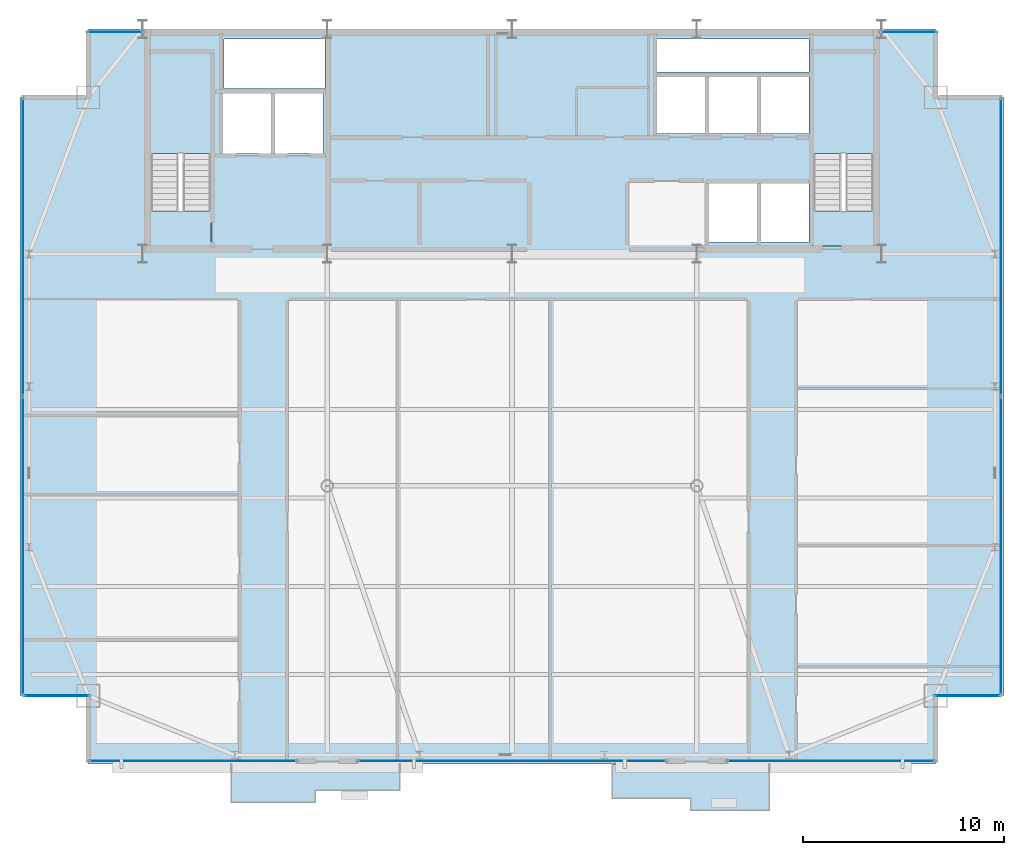
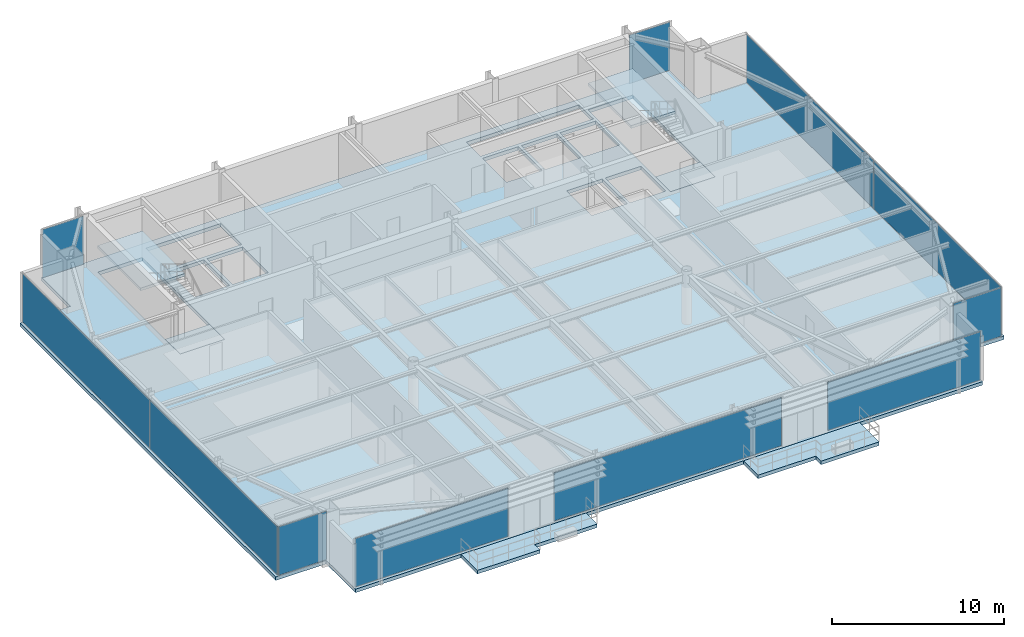
# One storey, part 23 of 30: 11 plates, 7 slabs, 11 elements without a shape of their own.
"""IFC4 building model written with IfcOpenShell, lengths in metres."""

import ifcopenshell
import ifcopenshell.guid

model = None  # the IFC model being written
_history = None  # IfcOwnerHistory: only IFC2X3 demands one
_inside = {}  # id of a spatial element -> (the spatial element, [elements in it])
_under = {}  # id of a project, library or spatial element -> (it, [spatial elements below it])
_declared = {}  # id of a project -> (the project, [libraries it declares])
_typed = {}  # id of a type object -> (the type object, [elements of that type])
_made_of = {}  # id of a material, layer set ... -> (it, [elements and type objects made of it])


def new_model(schema):
    """Start an empty IFC model of exactly this schema.

    Asked for "IFC4X3", IfcOpenShell would pick the latest addendum, in which some entities
    have other attributes; the version numbers below select the first issue.
    IFC2X3 requires an IfcOwnerHistory on every rooted entity: one is made here for all.
    """
    global model, _history
    if schema == "IFC4X3":
        model = ifcopenshell.file(schema_version=(4, 3, 0, 0))
    else:
        model = ifcopenshell.file(schema=schema)
    _inside.clear()
    _under.clear()
    _declared.clear()
    _typed.clear()
    _made_of.clear()
    _history = None
    if model.schema == "IFC2X3":
        org = make("IfcOrganization", Name="unknown")
        user = make(
            "IfcPersonAndOrganization",
            ThePerson=make("IfcPerson", FamilyName="unknown"),
            TheOrganization=org,
        )
        app = make(
            "IfcApplication",
            ApplicationDeveloper=org,
            Version="unknown",
            ApplicationFullName="unknown",
            ApplicationIdentifier="unknown",
        )
        _history = make(
            "IfcOwnerHistory",
            OwningUser=user,
            OwningApplication=app,
            ChangeAction="ADDED",
            CreationDate=0,
        )
    return model


def make(cls, **values):
    """One entity of the class cls with the attributes given. An attribute that is None is left unset."""
    return model.create_entity(
        cls, **{name: value for name, value in values.items() if value is not None}
    )


def rooted(cls, **values):
    """An entity with a GlobalId (a new one), such as an element, a storey or a relation."""
    return make(cls, GlobalId=ifcopenshell.guid.new(), OwnerHistory=_history, **values)


def si_unit(unit_type, name, prefix=None):
    """IfcSIUnit, for example si_unit("LENGTHUNIT", "METRE", prefix="MILLI")."""
    return make("IfcSIUnit", UnitType=unit_type, Prefix=prefix, Name=name)


def assignment(units):
    """IfcUnitAssignment: the units of a project."""
    return None if units is None else make("IfcUnitAssignment", Units=units)


def point(xyz):
    """IfcCartesianPoint."""
    return None if xyz is None else make("IfcCartesianPoint", Coordinates=xyz)


def direction(xyz):
    """IfcDirection."""
    return None if xyz is None else make("IfcDirection", DirectionRatios=xyz)


def frame(location, z_axis=None, x_axis=None):
    """IfcAxis2Placement3D, a coordinate frame: its origin and axes. An axis left out is left unset."""
    return make(
        "IfcAxis2Placement3D",
        Location=point(location),
        Axis=direction(z_axis),
        RefDirection=direction(x_axis),
    )


def frame_2d(location, x_axis=None):
    """IfcAxis2Placement2D, a coordinate frame in the plane: its origin and x axis."""
    return make(
        "IfcAxis2Placement2D", Location=point(location), RefDirection=direction(x_axis)
    )


def origin():
    """The frame at (0, 0, 0) with its axes left unset."""
    return frame((0.0, 0.0, 0.0))


def origin_2d():
    """The frame at (0, 0) in the plane with its x axis left unset."""
    return frame_2d((0.0, 0.0))


def place(relative_to, where):
    """IfcLocalPlacement: puts the frame where relative to a parent placement (None: the world)."""
    return make(
        "IfcLocalPlacement", PlacementRelTo=relative_to, RelativePlacement=where
    )


def context(
    kind, dimensions, precision=None, world=None, true_north=None, identifier=None
):
    """IfcGeometricRepresentationContext, for example the 3D "Model" context."""
    return make(
        "IfcGeometricRepresentationContext",
        ContextIdentifier=identifier,
        ContextType=kind,
        CoordinateSpaceDimension=dimensions,
        Precision=precision,
        WorldCoordinateSystem=world,
        TrueNorth=true_north,
    )


def subcontext(parent, identifier, kind, view, scale=None):
    """IfcGeometricRepresentationSubContext, for example "Body" below "Model"."""
    return make(
        "IfcGeometricRepresentationSubContext",
        ContextIdentifier=identifier,
        ContextType=kind,
        ParentContext=parent,
        TargetScale=scale,
        TargetView=view,
    )


def project(units=None, contexts=None):
    """IfcProject with its units and contexts."""
    return rooted(
        "IfcProject",
        Name="project",
        RepresentationContexts=contexts,
        UnitsInContext=assignment(units),
    )


def spatial(cls, under=None, at=None, **own):
    """A site, building, storey or space (cls), placed at a placement, below another one or the project."""
    s = rooted(cls, ObjectPlacement=at, **own)
    if under is not None:
        _under.setdefault(under.id(), (under, []))[1].append(s)
    return s


def polyline(points):
    """IfcPolyline through the points."""
    return make("IfcPolyline", Points=[point(p) for p in points])


def profile(cls, at=None, kind="AREA", **sizes):
    """A parametric profile (cls). Its sizes go by their IFC names, for example OverallWidth=200.0."""
    return make(cls, ProfileType=kind, Position=at, **sizes)


def rectangle(**sizes):
    """IfcRectangleProfileDef."""
    return profile("IfcRectangleProfileDef", **sizes)


def outline(outer, holes=None, kind="AREA"):
    """IfcArbitraryClosedProfileDef: a profile drawn as a closed curve; with holes, ...WithVoids."""
    if holes is None:
        return make("IfcArbitraryClosedProfileDef", ProfileType=kind, OuterCurve=outer)
    return make(
        "IfcArbitraryProfileDefWithVoids",
        ProfileType=kind,
        OuterCurve=outer,
        InnerCurves=holes,
    )


def extrude(swept, where, along, depth):
    """IfcExtrudedAreaSolid: the profile swept, set in the frame where, extruded along a direction by depth."""
    return make(
        "IfcExtrudedAreaSolid",
        SweptArea=swept,
        Position=where,
        ExtrudedDirection=direction(along),
        Depth=depth,
    )


def shape(context_of_items, identifier, shape_type, items):
    """IfcShapeRepresentation: the items that make up one representation, for example the "Body"."""
    return make(
        "IfcShapeRepresentation",
        ContextOfItems=context_of_items,
        RepresentationIdentifier=identifier,
        RepresentationType=shape_type,
        Items=items,
    )


def source(mapping_origin, context_of_items, identifier, shape_type, items):
    """IfcRepresentationMap: a shape defined once, which mapped items show again and again."""
    return make(
        "IfcRepresentationMap",
        MappingOrigin=mapping_origin,
        MappedRepresentation=shape(context_of_items, identifier, shape_type, items),
    )


def transform(
    local_origin,
    x_axis=None,
    y_axis=None,
    z_axis=None,
    scale=None,
    scale2=None,
    scale3=None,
    uniform=True,
):
    """IfcCartesianTransformationOperator3D, or its non-uniform kind. x_axis, y_axis, z_axis: its Axis1, 2, 3."""
    if uniform:
        return make(
            "IfcCartesianTransformationOperator3D",
            Axis1=direction(x_axis),
            Axis2=direction(y_axis),
            LocalOrigin=point(local_origin),
            Scale=scale,
            Axis3=direction(z_axis),
        )
    return make(
        "IfcCartesianTransformationOperator3DnonUniform",
        Axis1=direction(x_axis),
        Axis2=direction(y_axis),
        LocalOrigin=point(local_origin),
        Scale=scale,
        Axis3=direction(z_axis),
        Scale2=scale2,
        Scale3=scale3,
    )


def mapped(mapping_source, mapping_target):
    """IfcMappedItem: shows the shape of a source again, moved by a transform."""
    return make(
        "IfcMappedItem", MappingSource=mapping_source, MappingTarget=mapping_target
    )


def material(Name=None, Category=None):
    """IfcMaterial."""
    return make("IfcMaterial", Name=Name, Category=Category)


def layer(
    of_material, thickness, ventilated=None, Name=None, Category=None, Priority=None
):
    """IfcMaterialLayer: one layer of a wall or slab, of a material (None: an air gap)."""
    return make(
        "IfcMaterialLayer",
        Material=of_material,
        LayerThickness=thickness,
        IsVentilated=ventilated,
        Name=Name,
        Category=Category,
        Priority=Priority,
    )


def layer_set(layers, Name=None):
    """IfcMaterialLayerSet."""
    return make("IfcMaterialLayerSet", MaterialLayers=layers, LayerSetName=Name)


def made_of(thing, what):
    """Note that an element or type object is made of a material, layer set ...; save() writes the relation."""
    if what is not None:
        _made_of.setdefault(what.id(), (what, []))[1].append(thing)
    return thing


def type_object(cls, material=None, **own):
    """A type object (cls), such as IfcWallType, which elements share."""
    return made_of(rooted(cls, **own), material)


def type_shapes(of_type, sources):
    """Give a type object the sources (RepresentationMaps) that its elements show as mapped items."""
    of_type.RepresentationMaps = sources


def element(
    cls,
    number,
    at=None,
    inside=None,
    cuts=None,
    type_object=None,
    material=None,
    context=None,
    identifier="Body",
    shape_type=None,
    held_by="IfcProductDefinitionShape",
    body=None,
    shapes=None,
    **own,
):
    """One element of the class cls, such as IfcWall. Its Tag is "e" and its number.

    at: its placement. inside: the storey or other place that contains it. cuts: it is an
    opening in that element (IfcRelVoidsElement). A single representation is given by context,
    identifier, shape_type and body (its items); several are given by shapes. held_by: the class
    of the entity that holds the representations. save() writes the other relations.
    """
    e = rooted(cls, Tag="e%d" % number, ObjectPlacement=at, **own)
    if body is not None:
        shapes = [shape(context, identifier, shape_type, body)]
    if shapes is not None:
        e.Representation = make(held_by, Representations=shapes)
    if inside is not None:
        _inside.setdefault(inside.id(), (inside, []))[1].append(e)
    if cuts is not None:
        rooted(
            "IfcRelVoidsElement", RelatingBuildingElement=cuts, RelatedOpeningElement=e
        )
    if type_object is not None:
        _typed.setdefault(type_object.id(), (type_object, []))[1].append(e)
    return made_of(e, material)


def aggregate(whole, parts):
    """IfcRelAggregates: a whole, such as a stair, and the parts it consists of."""
    return rooted("IfcRelAggregates", RelatingObject=whole, RelatedObjects=parts)


def save(model, path):
    """Write the relations noted so far, then the file.

    IfcRelAggregates (storeys below a building ...), IfcRelContainedInSpatialStructure (elements
    in a storey), IfcRelDefinesByType, IfcRelAssociatesMaterial and IfcRelDeclares: one each for
    every whole, place, type object, material and project.
    """
    for whole, parts in _under.values():
        aggregate(whole, parts)
    for where, things in _inside.values():
        rooted(
            "IfcRelContainedInSpatialStructure",
            RelatedElements=things,
            RelatingStructure=where,
        )
    for kind, things in _typed.values():
        rooted("IfcRelDefinesByType", RelatedObjects=things, RelatingType=kind)
    for what, things in _made_of.values():
        rooted("IfcRelAssociatesMaterial", RelatedObjects=things, RelatingMaterial=what)
    for by, libraries in _declared.values():
        rooted("IfcRelDeclares", RelatingContext=by, RelatedDefinitions=libraries)
    model.write(path)


model = new_model("IFC4")

# Units and contexts
model_context = context("Model", 3, precision=1e-05, world=origin(), true_north=direction((0.0, 1.0)))
body_context = subcontext(model_context, "Body", "Model", "MODEL_VIEW")
ifc_project = project(units=[si_unit("LENGTHUNIT", "METRE"), si_unit("AREAUNIT", "SQUARE_METRE"), si_unit("VOLUMEUNIT", "CUBIC_METRE"), si_unit("PLANEANGLEUNIT", "RADIAN"), si_unit("MASSUNIT", "GRAM", prefix="KILO")], contexts=[model_context])

# Site, building, storey
site_placement = place(None, origin())
site = spatial("IfcSite", under=ifc_project, at=site_placement, CompositionType="ELEMENT")
building_placement = place(site_placement, origin())
building = spatial("IfcBuilding", under=site, at=building_placement, Name="Varnel Quay Broadcast Tower", CompositionType="ELEMENT")
storey_placement = place(building_placement, frame((0.0, 0.0, 207.39990234375)))
storey = spatial("IfcBuildingStorey", under=building, at=storey_placement, Name="L51", CompositionType="ELEMENT", Elevation=207.39990234375)

# Slabs
ifc_material_1 = material(Name="Concrete CSA A23.3 C40/50", Category="concrete")
ifc_layer_1 = layer(ifc_material_1, 0.25, Name="Concrete CSA A23.3 C40/50")
ifc_layer_set_1 = layer_set([ifc_layer_1], Name="Concrete CSA A23.3 C40/50")
slab_type_1 = type_object("IfcSlabType", Name="Slab_ExtTerrace250", PredefinedType="FLOOR", material=ifc_layer_set_1)
slab_1_placement = place(storey_placement, frame((0.0, 0.0, -0.25)))
element("IfcSlab", 1, at=slab_1_placement, inside=storey, type_object=slab_type_1, Name="L51 Planted Lobe Terrace Slab 1", PredefinedType="FLOOR", context=body_context, shape_type="SweptSolid", body=[
    extrude(outline(polyline([(20.010009765625, 8.297119140625), (24.2099609375, 8.297119140625), (24.2099609375, 8.89697265625), (28.409912109375, 8.89697265625), (28.409912109375, 10.199951171875), (20.010009765625, 10.199951171875), (20.010009765625, 8.297119140625)])), origin(), (0.0, 0.0, 1.0), 0.25),
])
slab_2_placement = place(storey_placement, frame((0.0, 0.0, -0.25)))
element("IfcSlab", 2, at=slab_2_placement, inside=storey, type_object=slab_type_1, Name="L51 Planted Lobe Terrace Slab 2", PredefinedType="FLOOR", context=body_context, shape_type="SweptSolid", body=[
    extrude(outline(polyline([(39.0, 8.5029296875), (42.905029296875, 8.5029296875), (42.905029296875, 7.903076171875), (46.81005859375, 7.903076171875), (46.81005859375, 10.199951171875), (39.0, 10.199951171875), (39.0, 8.5029296875)])), origin(), (0.0, 0.0, 1.0), 0.25),
])
ifc_material_2 = material(Name="Concrete CSA A23.3 C50/60", Category="concrete")
ifc_layer_2 = layer(ifc_material_2, 0.25, Name="Concrete CSA A23.3 C50/60")
ifc_layer_set_2 = layer_set([ifc_layer_2], Name="Concrete CSA A23.3 C50/60")
slab_type_2 = type_object("IfcSlabType", Name="Slab_Floor250", PredefinedType="FLOOR", material=ifc_layer_set_2)
slab_3_placement = place(storey_placement, frame((0.0, 0.0, -0.25)))
element("IfcSlab", 3, at=slab_3_placement, inside=storey, type_object=slab_type_2, Name="L51 Structural Slab", PredefinedType="FLOOR", context=body_context, shape_type="SweptSolid", body=[
    extrude(outline(polyline([(12.89990234375, 10.199951171875), (55.10009765625, 10.199951171875), (55.10009765625, 13.60009765625), (58.5, 13.60009765625), (58.5, 43.39990234375), (55.10009765625, 43.39990234375), (55.10009765625, 46.800048828125), (12.89990234375, 46.800048828125), (12.89990234375, 43.39990234375), (9.5, 43.39990234375), (9.5, 13.60009765625), (12.89990234375, 13.60009765625), (12.89990234375, 10.199951171875)]), holes=[polyline([(19.0, 36.0), (16.0, 36.0), (16.0, 45.60009765625), (19.0, 45.60009765625), (19.0, 36.0)]), polyline([(19.60009765625, 40.60009765625), (19.60009765625, 43.60009765625), (22.0, 43.60009765625), (22.0, 40.60009765625), (19.60009765625, 40.60009765625)]), polyline([(22.199951171875, 40.60009765625), (22.199951171875, 43.60009765625), (24.60009765625, 43.60009765625), (24.60009765625, 40.60009765625), (22.199951171875, 40.60009765625)]), polyline([(41.199951171875, 44.39990234375), (43.60009765625, 44.39990234375), (43.60009765625, 41.60009765625), (41.199951171875, 41.60009765625), (41.199951171875, 44.39990234375)]), polyline([(43.800048828125, 44.39990234375), (46.199951171875, 44.39990234375), (46.199951171875, 41.60009765625), (43.800048828125, 41.60009765625), (43.800048828125, 44.39990234375)]), polyline([(19.64990234375, 43.85009765625), (19.64990234375, 46.300048828125), (24.679931640625, 46.300048828125), (24.679931640625, 43.85009765625), (19.64990234375, 43.85009765625)]), polyline([(43.800048828125, 39.10009765625), (46.199951171875, 39.10009765625), (46.199951171875, 36.199951171875), (43.800048828125, 36.199951171875), (43.800048828125, 39.10009765625)]), polyline([(46.39990234375, 39.10009765625), (48.800048828125, 39.10009765625), (48.800048828125, 36.199951171875), (46.39990234375, 36.199951171875), (46.39990234375, 39.10009765625)]), polyline([(52.0, 36.0), (49.0, 36.0), (49.0, 45.60009765625), (52.0, 45.60009765625), (52.0, 36.0)]), polyline([(46.39990234375, 44.39990234375), (48.800048828125, 44.39990234375), (48.800048828125, 41.60009765625), (46.39990234375, 41.60009765625), (46.39990234375, 44.39990234375)]), polyline([(41.199951171875, 46.300048828125), (48.800048828125, 46.300048828125), (48.800048828125, 44.64990234375), (41.199951171875, 44.64990234375), (41.199951171875, 46.300048828125)])]), origin(), (0.0, 0.0, 1.0), 0.25),
])
ifc_layer_3 = layer(ifc_material_2, 0.25, Name="Concrete CSA A23.3 C50/60")
ifc_layer_set_3 = layer_set([ifc_layer_3], Name="Concrete CSA A23.3 C50/60")
slab_type_3 = type_object("IfcSlabType", Name="Slab_StairFloorLanding250", PredefinedType="FLOOR", material=ifc_layer_set_3)
slab_4_placement = place(storey_placement, frame((0.0, 0.0, -0.25)))
element("IfcSlab", 4, at=slab_4_placement, inside=storey, type_object=slab_type_3, Name="L51 ST-01 Structural Floor Landing Slab", PredefinedType="FLOOR", context=body_context, shape_type="SweptSolid", body=[
    extrude(outline(polyline([(19.0, 36.0), (19.0, 37.75), (16.0, 37.75), (16.0, 36.0), (19.0, 36.0)])), origin(), (0.0, 0.0, 1.0), 0.25),
])
slab_5_placement = place(storey_placement, frame((0.0, 0.0, -0.25)))
element("IfcSlab", 5, at=slab_5_placement, inside=storey, type_object=slab_type_3, Name="L51 ST-02 Structural Floor Landing Slab", PredefinedType="FLOOR", context=body_context, shape_type="SweptSolid", body=[
    extrude(outline(polyline([(52.0, 36.0), (52.0, 37.75), (49.0, 37.75), (49.0, 36.0), (52.0, 36.0)])), origin(), (0.0, 0.0, 1.0), 0.25),
])

# Stair, slab
ifc_material_3 = material(Name="Precast Structural Concrete C40/50", Category="concrete")
stair_type_1 = type_object("IfcStairType", Name="Stair_ST-01", PredefinedType="HALF_TURN_STAIR", material=ifc_material_3)
stair_1_placement = place(storey_placement, origin())
stair_1 = element("IfcStair", 6, at=stair_1_placement, inside=storey, type_object=stair_type_1, Name="L51 West Core Exit Stair 1", PredefinedType="HALF_TURN_STAIR")
ifc_layer_4 = layer(ifc_material_3, 0.199951171875, Name="Precast Structural Concrete C40/50")
ifc_layer_set_4 = layer_set([ifc_layer_4], Name="Precast Structural Concrete C40/50")
slab_type_4 = type_object("IfcSlabType", Name="Slab_StairLanding200", PredefinedType="LANDING", material=ifc_layer_set_4)
slab_6_placement = place(storey_placement, frame((0.0, 0.0, 1.7001953125)))
slab_6 = element("IfcSlab", 7, at=slab_6_placement, type_object=slab_type_4, Name="ST-01 landing 1", PredefinedType="LANDING", context=body_context, shape_type="SweptSolid", body=[
    extrude(outline(polyline([(19.0, 40.60009765625), (19.0, 45.60009765625), (16.0, 45.60009765625), (16.0, 40.60009765625), (19.0, 40.60009765625)])), origin(), (0.0, 0.0, 1.0), 0.199951171875),
])
aggregate(stair_1, [slab_6])

stair_type_2 = type_object("IfcStairType", Name="Stair_ST-02", PredefinedType="HALF_TURN_STAIR", material=ifc_material_3)
stair_2_placement = place(storey_placement, origin())
stair_2 = element("IfcStair", 8, at=stair_2_placement, inside=storey, type_object=stair_type_2, Name="L51 East Core Exit Stair 2", PredefinedType="HALF_TURN_STAIR")
slab_7_placement = place(storey_placement, frame((0.0, 0.0, 1.7001953125)))
slab_7 = element("IfcSlab", 9, at=slab_7_placement, type_object=slab_type_4, Name="ST-02 landing 1", PredefinedType="LANDING", context=body_context, shape_type="SweptSolid", body=[
    extrude(outline(polyline([(52.0, 40.60009765625), (52.0, 45.60009765625), (49.0, 45.60009765625), (49.0, 40.60009765625), (52.0, 40.60009765625)])), origin(), (0.0, 0.0, 1.0), 0.199951171875),
])
aggregate(stair_2, [slab_7])

# Curtain wall, plate
ifc_material_4 = material(Name="Anodised Bronze Aluminium 6063-T6", Category="aluminium")
ifc_layer_5 = layer(ifc_material_4, 0.18994140625, Name="Anodised Bronze Aluminium 6063-T6")
ifc_layer_set_5 = layer_set([ifc_layer_5], Name="Anodised Bronze Aluminium 6063-T6")
curtain_wall_type_1 = type_object("IfcCurtainWallType", Name="CW_UpperTower", PredefinedType="NOTDEFINED", material=ifc_layer_set_5)
curtain_wall_1_placement = place(storey_placement, origin())
curtain_wall_1 = element("IfcCurtainWall", 10, at=curtain_wall_1_placement, inside=storey, type_object=curtain_wall_type_1, Name="L51 South Unitised Curtain Wall 1", PredefinedType="NOTDEFINED")
ifc_material_5 = material(Name="Triple-Glazed Bronze Low-E Architectural Glass", Category="glass")
ifc_layer_6 = layer(ifc_material_5, 0.030029296875, Name="Triple-Glazed Bronze Low-E Architectural Glass")
ifc_layer_set_6 = layer_set([ifc_layer_6], Name="Triple-Glazed Bronze Low-E Architectural Glass")
plate_type_1 = type_object("IfcPlateType", Name="Panel_CWS-03", PredefinedType="CURTAIN_PANEL", material=ifc_layer_set_6)
shared_shape_1 = source(origin(), body_context, "Body", "SweptSolid", [
    extrude(rectangle(XDim=10.2900390625, YDim=0.030029296875, at=origin_2d()), origin(), (0.0, 0.0, 1.0), 3.429931640625),
])
plate_1_placement = place(storey_placement, frame((18.110107421875, 10.35009765625, 0.06005859375), z_axis=(0.0, 0.0, 1.0), x_axis=(1.0, 0.0, 0.0)))
plate_1 = element("IfcPlate", 11, at=plate_1_placement, type_object=plate_type_1, Name="CWS-03 panel 1.1", PredefinedType="CURTAIN_PANEL", context=body_context, shape_type="MappedRepresentation", body=[
    mapped(shared_shape_1, transform((0.0, 0.0, 0.0), x_axis=(1.0, 0.0, 0.0), y_axis=(0.0, 1.0, 0.0), z_axis=(0.0, 0.0, 1.0), scale=1.0)),
])
aggregate(curtain_wall_1, [plate_1])

curtain_wall_2_placement = place(storey_placement, origin())
curtain_wall_2 = element("IfcCurtainWall", 12, at=curtain_wall_2_placement, inside=storey, type_object=curtain_wall_type_1, Name="L51 South Unitised Curtain Wall 3", PredefinedType="NOTDEFINED")
plate_2_placement = place(storey_placement, frame((49.889892578125, 10.35009765625, 0.06005859375), z_axis=(0.0, 0.0, 1.0), x_axis=(1.0, 0.0, 0.0)))
plate_2 = element("IfcPlate", 13, at=plate_2_placement, type_object=plate_type_1, Name="CWS-03 panel 1.1", PredefinedType="CURTAIN_PANEL", context=body_context, shape_type="MappedRepresentation", body=[
    mapped(shared_shape_1, transform((0.0, 0.0, 0.0), x_axis=(1.0, 0.0, 0.0), y_axis=(0.0, 1.0, 0.0), z_axis=(0.0, 0.0, 1.0), scale=1.0)),
])
aggregate(curtain_wall_2, [plate_2])

curtain_wall_3_placement = place(storey_placement, origin())
curtain_wall_3 = element("IfcCurtainWall", 14, at=curtain_wall_3_placement, inside=storey, type_object=curtain_wall_type_1, Name="L51 West Unitised Curtain Wall", PredefinedType="NOTDEFINED")
ifc_material_6 = material(Name="Insulated Bronze Spandrel Glass", Category="glass")
ifc_layer_7 = layer(ifc_material_6, 0.030029296875, Name="Insulated Bronze Spandrel Glass")
ifc_layer_set_7 = layer_set([ifc_layer_7], Name="Insulated Bronze Spandrel Glass")
plate_type_2 = type_object("IfcPlateType", Name="PanelSp_CWS-03", PredefinedType="CURTAIN_PANEL", material=ifc_layer_set_7)
shared_shape_2 = source(origin(), body_context, "Body", "SweptSolid", [
    extrude(rectangle(XDim=14.802490234375, YDim=0.030029296875, at=origin_2d()), origin(), (0.0, 0.0, 1.0), 3.429931640625),
])
plate_3_placement = place(storey_placement, frame((9.64990234375, 21.066162109375, 0.06005859375), z_axis=(0.0, 0.0, 1.0), x_axis=(0.0, 1.0, 0.0)))
plate_3 = element("IfcPlate", 15, at=plate_3_placement, type_object=plate_type_2, Name="CWS-03 panel 1.1", PredefinedType="CURTAIN_PANEL", context=body_context, shape_type="MappedRepresentation", body=[
    mapped(shared_shape_2, transform((0.0, 0.0, 0.0), x_axis=(1.0, 0.0, 0.0), y_axis=(0.0, 1.0, 0.0), z_axis=(0.0, 0.0, 1.0), scale=1.0)),
])

curtain_wall_4_placement = place(storey_placement, origin())
curtain_wall_4 = element("IfcCurtainWall", 16, at=curtain_wall_4_placement, inside=storey, type_object=curtain_wall_type_1, Name="L51 East Unitised Curtain Wall", PredefinedType="NOTDEFINED")
plate_4_placement = place(storey_placement, frame((58.35009765625, 21.066162109375, 0.06005859375), z_axis=(0.0, 0.0, 1.0), x_axis=(0.0, 1.0, 0.0)))
plate_4 = element("IfcPlate", 17, at=plate_4_placement, type_object=plate_type_2, Name="CWS-03 panel 1.1", PredefinedType="CURTAIN_PANEL", context=body_context, shape_type="MappedRepresentation", body=[
    mapped(shared_shape_2, transform((0.0, 0.0, 0.0), x_axis=(1.0, 0.0, 0.0), y_axis=(0.0, 1.0, 0.0), z_axis=(0.0, 0.0, 1.0), scale=1.0)),
])

ifc_layer_8 = layer(ifc_material_4, 0.18994140625, Name="Anodised Bronze Aluminium 6063-T6")
ifc_layer_set_8 = layer_set([ifc_layer_8], Name="Anodised Bronze Aluminium 6063-T6")
curtain_wall_type_2 = type_object("IfcCurtainWallType", Name="CW_NotchCorner", PredefinedType="NOTDEFINED", material=ifc_layer_set_8)
curtain_wall_5_placement = place(storey_placement, origin())
curtain_wall_5 = element("IfcCurtainWall", 18, at=curtain_wall_5_placement, inside=storey, type_object=curtain_wall_type_2, Name="L51 SW Notch Curtain Wall", PredefinedType="NOTDEFINED")
ifc_layer_9 = layer(ifc_material_5, 0.028076171875, Name="Triple-Glazed Bronze Low-E Architectural Glass")
ifc_layer_set_9 = layer_set([ifc_layer_9], Name="Triple-Glazed Bronze Low-E Architectural Glass")
plate_type_3 = type_object("IfcPlateType", Name="Panel_CWS-04", PredefinedType="CURTAIN_PANEL", material=ifc_layer_set_9)
shared_shape_3 = source(origin(), body_context, "Body", "SweptSolid", [
    extrude(rectangle(XDim=3.2099609375, YDim=0.028076171875, at=origin_2d()), origin(), (0.0, 0.0, 1.0), 3.43994140625),
])
type_shapes(plate_type_3, [shared_shape_3])
plate_5_placement = place(storey_placement, frame((11.31494140625, 13.60009765625, 0.05517578125), z_axis=(0.0, 0.0, 1.0), x_axis=(1.0, 0.0, 0.0)))
plate_5 = element("IfcPlate", 19, at=plate_5_placement, type_object=plate_type_3, Name="CWS-04 panel 1.1", PredefinedType="CURTAIN_PANEL", context=body_context, shape_type="MappedRepresentation", body=[
    mapped(shared_shape_3, transform((0.0, 0.0, 0.0), x_axis=(1.0, 0.0, 0.0), y_axis=(0.0, 1.0, 0.0), z_axis=(0.0, 0.0, 1.0), scale=1.0)),
])
aggregate(curtain_wall_5, [plate_5])

curtain_wall_6_placement = place(storey_placement, origin())
curtain_wall_6 = element("IfcCurtainWall", 20, at=curtain_wall_6_placement, inside=storey, type_object=curtain_wall_type_2, Name="L51 SE Notch Curtain Wall", PredefinedType="NOTDEFINED")
plate_6_placement = place(storey_placement, frame((56.68505859375, 13.60009765625, 0.05517578125), z_axis=(0.0, 0.0, 1.0), x_axis=(1.0, 0.0, 0.0)))
plate_6 = element("IfcPlate", 21, at=plate_6_placement, type_object=plate_type_3, Name="CWS-04 panel 1.1", PredefinedType="CURTAIN_PANEL", context=body_context, shape_type="MappedRepresentation", body=[
    mapped(shared_shape_3, transform((0.0, 0.0, 0.0), x_axis=(1.0, 0.0, 0.0), y_axis=(0.0, 1.0, 0.0), z_axis=(0.0, 0.0, 1.0), scale=1.0)),
])
aggregate(curtain_wall_6, [plate_6])

curtain_wall_7_placement = place(storey_placement, origin())
curtain_wall_7 = element("IfcCurtainWall", 22, at=curtain_wall_7_placement, inside=storey, type_object=curtain_wall_type_1, Name="L51 NW Wing Curtain Wall", PredefinedType="NOTDEFINED")
shared_shape_4 = source(origin(), body_context, "Body", "SweptSolid", [
    extrude(rectangle(XDim=2.75, YDim=0.030029296875, at=origin_2d()), origin(), (0.0, 0.0, 1.0), 3.429931640625),
])
plate_7_placement = place(storey_placement, frame((14.260009765625, 46.64990234375, 0.06005859375), z_axis=(0.0, 0.0, 1.0), x_axis=(1.0, 0.0, 0.0)))
plate_7 = element("IfcPlate", 23, at=plate_7_placement, type_object=plate_type_1, Name="CWS-03 panel 1.1", PredefinedType="CURTAIN_PANEL", context=body_context, shape_type="MappedRepresentation", body=[
    mapped(shared_shape_4, transform((0.0, 0.0, 0.0), x_axis=(1.0, 0.0, 0.0), y_axis=(0.0, 1.0, 0.0), z_axis=(0.0, 0.0, 1.0), scale=1.0)),
])
aggregate(curtain_wall_7, [plate_7])

curtain_wall_8_placement = place(storey_placement, origin())
curtain_wall_8 = element("IfcCurtainWall", 24, at=curtain_wall_8_placement, inside=storey, type_object=curtain_wall_type_1, Name="L51 NE Wing Curtain Wall", PredefinedType="NOTDEFINED")
plate_8_placement = place(storey_placement, frame((53.739990234375, 46.64990234375, 0.06005859375), z_axis=(0.0, 0.0, 1.0), x_axis=(1.0, 0.0, 0.0)))
plate_8 = element("IfcPlate", 25, at=plate_8_placement, type_object=plate_type_1, Name="CWS-03 panel 1.1", PredefinedType="CURTAIN_PANEL", context=body_context, shape_type="MappedRepresentation", body=[
    mapped(shared_shape_4, transform((0.0, 0.0, 0.0), x_axis=(1.0, 0.0, 0.0), y_axis=(0.0, 1.0, 0.0), z_axis=(0.0, 0.0, 1.0), scale=1.0)),
])
aggregate(curtain_wall_8, [plate_8])

# Plate
shared_shape_5 = source(origin(), body_context, "Body", "SweptSolid", [
    extrude(rectangle(XDim=14.802490234375, YDim=0.030029296875, at=origin_2d()), origin(), (0.0, 0.0, 1.0), 3.429931640625),
])
type_shapes(plate_type_1, [shared_shape_1, shared_shape_4, shared_shape_5])
plate_9_placement = place(storey_placement, frame((9.64990234375, 35.933837890625, 0.06005859375), z_axis=(0.0, 0.0, 1.0), x_axis=(0.0, 1.0, 0.0)))
plate_9 = element("IfcPlate", 26, at=plate_9_placement, type_object=plate_type_1, Name="CWS-03 panel 2.1", PredefinedType="CURTAIN_PANEL", context=body_context, shape_type="MappedRepresentation", body=[
    mapped(shared_shape_5, transform((0.0, 0.0, 0.0), x_axis=(1.0, 0.0, 0.0), y_axis=(0.0, 1.0, 0.0), z_axis=(0.0, 0.0, 1.0), scale=1.0)),
])

aggregate(curtain_wall_3, [plate_3, plate_9])

plate_10_placement = place(storey_placement, frame((58.35009765625, 35.933837890625, 0.06005859375), z_axis=(0.0, 0.0, 1.0), x_axis=(0.0, 1.0, 0.0)))
plate_10 = element("IfcPlate", 27, at=plate_10_placement, type_object=plate_type_1, Name="CWS-03 panel 2.1", PredefinedType="CURTAIN_PANEL", context=body_context, shape_type="MappedRepresentation", body=[
    mapped(shared_shape_5, transform((0.0, 0.0, 0.0), x_axis=(1.0, 0.0, 0.0), y_axis=(0.0, 1.0, 0.0), z_axis=(0.0, 0.0, 1.0), scale=1.0)),
])

aggregate(curtain_wall_4, [plate_4, plate_10])

# Curtain wall, plate
curtain_wall_9_placement = place(storey_placement, origin())
curtain_wall_9 = element("IfcCurtainWall", 28, at=curtain_wall_9_placement, inside=storey, type_object=curtain_wall_type_1, Name="L51 South Unitised Curtain Wall 2", PredefinedType="NOTDEFINED")
shared_shape_6 = source(origin(), body_context, "Body", "SweptSolid", [
    extrude(rectangle(XDim=15.31005859375, YDim=0.030029296875, at=origin_2d()), origin(), (0.0, 0.0, 1.0), 3.429931640625),
])
type_shapes(plate_type_2, [shared_shape_2, shared_shape_6])
plate_11_placement = place(storey_placement, frame((34.0, 10.35009765625, 0.06005859375), z_axis=(0.0, 0.0, 1.0), x_axis=(1.0, 0.0, 0.0)))
plate_11 = element("IfcPlate", 29, at=plate_11_placement, type_object=plate_type_2, Name="CWS-03 panel 1.1", PredefinedType="CURTAIN_PANEL", context=body_context, shape_type="MappedRepresentation", body=[
    mapped(shared_shape_6, transform((0.0, 0.0, 0.0), x_axis=(1.0, 0.0, 0.0), y_axis=(0.0, 1.0, 0.0), z_axis=(0.0, 0.0, 1.0), scale=1.0)),
])
aggregate(curtain_wall_9, [plate_11])

save(model, "model.ifc")
